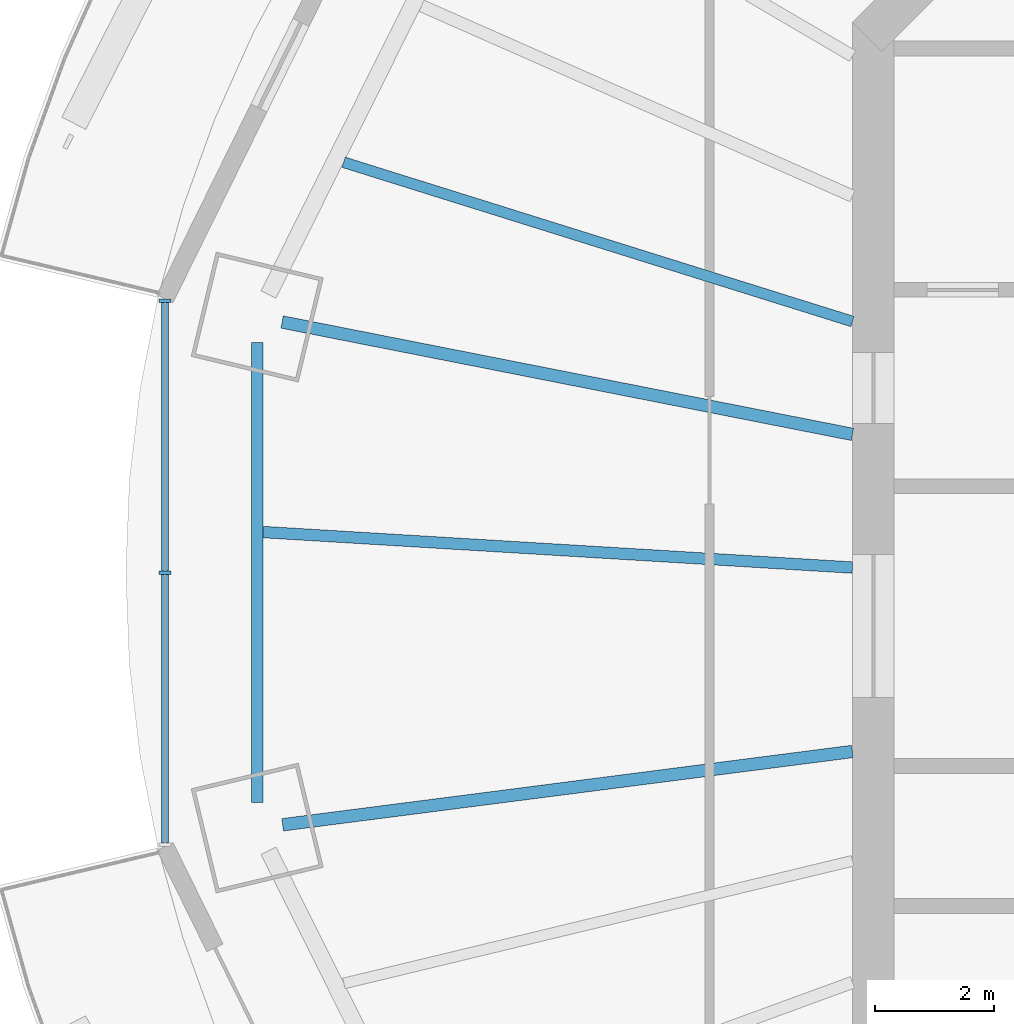
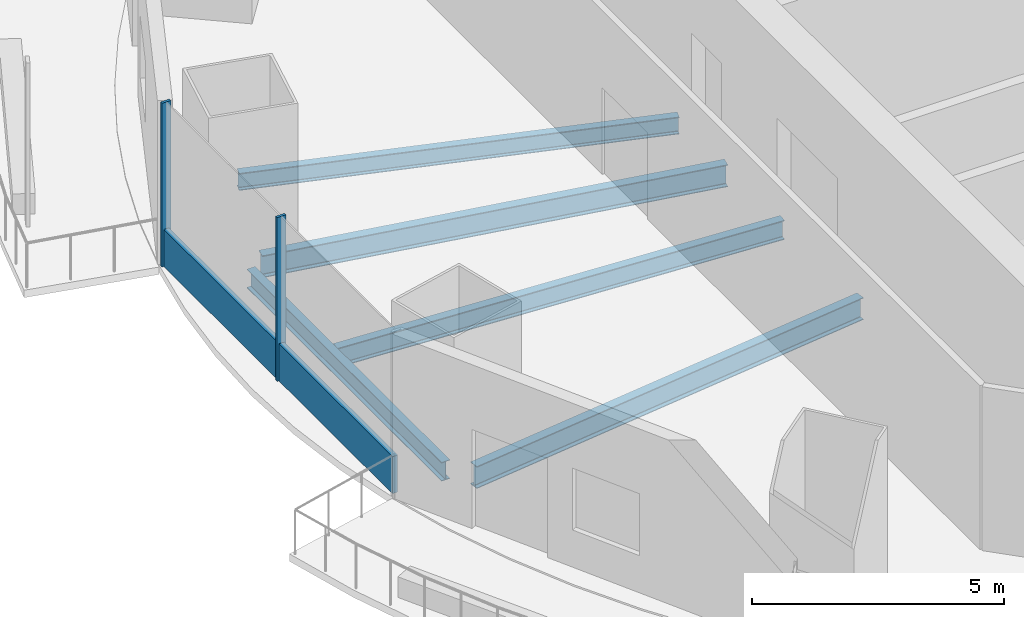
# One storey, part 3 of 16: 5 beams, 3 members, 1 element without a shape of its own.
"""IFC4 building model written with IfcOpenShell, lengths in metres."""

import ifcopenshell
import ifcopenshell.guid

model = None  # the IFC model being written
_history = None  # IfcOwnerHistory: only IFC2X3 demands one
_inside = {}  # id of a spatial element -> (the spatial element, [elements in it])
_under = {}  # id of a project, library or spatial element -> (it, [spatial elements below it])
_declared = {}  # id of a project -> (the project, [libraries it declares])
_typed = {}  # id of a type object -> (the type object, [elements of that type])
_made_of = {}  # id of a material, layer set ... -> (it, [elements and type objects made of it])


def new_model(schema):
    """Start an empty IFC model of exactly this schema.

    Asked for "IFC4X3", IfcOpenShell would pick the latest addendum, in which some entities
    have other attributes; the version numbers below select the first issue.
    IFC2X3 requires an IfcOwnerHistory on every rooted entity: one is made here for all.
    """
    global model, _history
    if schema == "IFC4X3":
        model = ifcopenshell.file(schema_version=(4, 3, 0, 0))
    else:
        model = ifcopenshell.file(schema=schema)
    _inside.clear()
    _under.clear()
    _declared.clear()
    _typed.clear()
    _made_of.clear()
    _history = None
    if model.schema == "IFC2X3":
        org = make("IfcOrganization", Name="unknown")
        user = make(
            "IfcPersonAndOrganization",
            ThePerson=make("IfcPerson", FamilyName="unknown"),
            TheOrganization=org,
        )
        app = make(
            "IfcApplication",
            ApplicationDeveloper=org,
            Version="unknown",
            ApplicationFullName="unknown",
            ApplicationIdentifier="unknown",
        )
        _history = make(
            "IfcOwnerHistory",
            OwningUser=user,
            OwningApplication=app,
            ChangeAction="ADDED",
            CreationDate=0,
        )
    return model


def make(cls, **values):
    """One entity of the class cls with the attributes given. An attribute that is None is left unset."""
    return model.create_entity(
        cls, **{name: value for name, value in values.items() if value is not None}
    )


def rooted(cls, **values):
    """An entity with a GlobalId (a new one), such as an element, a storey or a relation."""
    return make(cls, GlobalId=ifcopenshell.guid.new(), OwnerHistory=_history, **values)


def si_unit(unit_type, name, prefix=None):
    """IfcSIUnit, for example si_unit("LENGTHUNIT", "METRE", prefix="MILLI")."""
    return make("IfcSIUnit", UnitType=unit_type, Prefix=prefix, Name=name)


def assignment(units):
    """IfcUnitAssignment: the units of a project."""
    return None if units is None else make("IfcUnitAssignment", Units=units)


def point(xyz):
    """IfcCartesianPoint."""
    return None if xyz is None else make("IfcCartesianPoint", Coordinates=xyz)


def direction(xyz):
    """IfcDirection."""
    return None if xyz is None else make("IfcDirection", DirectionRatios=xyz)


def frame(location, z_axis=None, x_axis=None):
    """IfcAxis2Placement3D, a coordinate frame: its origin and axes. An axis left out is left unset."""
    return make(
        "IfcAxis2Placement3D",
        Location=point(location),
        Axis=direction(z_axis),
        RefDirection=direction(x_axis),
    )


def frame_2d(location, x_axis=None):
    """IfcAxis2Placement2D, a coordinate frame in the plane: its origin and x axis."""
    return make(
        "IfcAxis2Placement2D", Location=point(location), RefDirection=direction(x_axis)
    )


def origin():
    """The frame at (0, 0, 0) with its axes left unset."""
    return frame((0.0, 0.0, 0.0))


def origin_2d():
    """The frame at (0, 0) in the plane with its x axis left unset."""
    return frame_2d((0.0, 0.0))


def place(relative_to, where):
    """IfcLocalPlacement: puts the frame where relative to a parent placement (None: the world)."""
    return make(
        "IfcLocalPlacement", PlacementRelTo=relative_to, RelativePlacement=where
    )


def context(
    kind, dimensions, precision=None, world=None, true_north=None, identifier=None
):
    """IfcGeometricRepresentationContext, for example the 3D "Model" context."""
    return make(
        "IfcGeometricRepresentationContext",
        ContextIdentifier=identifier,
        ContextType=kind,
        CoordinateSpaceDimension=dimensions,
        Precision=precision,
        WorldCoordinateSystem=world,
        TrueNorth=true_north,
    )


def subcontext(parent, identifier, kind, view, scale=None):
    """IfcGeometricRepresentationSubContext, for example "Body" below "Model"."""
    return make(
        "IfcGeometricRepresentationSubContext",
        ContextIdentifier=identifier,
        ContextType=kind,
        ParentContext=parent,
        TargetScale=scale,
        TargetView=view,
    )


def project(units=None, contexts=None):
    """IfcProject with its units and contexts."""
    return rooted(
        "IfcProject",
        Name="project",
        RepresentationContexts=contexts,
        UnitsInContext=assignment(units),
    )


def spatial(cls, under=None, at=None, **own):
    """A site, building, storey or space (cls), placed at a placement, below another one or the project."""
    s = rooted(cls, ObjectPlacement=at, **own)
    if under is not None:
        _under.setdefault(under.id(), (under, []))[1].append(s)
    return s


def profile(cls, at=None, kind="AREA", **sizes):
    """A parametric profile (cls). Its sizes go by their IFC names, for example OverallWidth=200.0."""
    return make(cls, ProfileType=kind, Position=at, **sizes)


def rectangle(**sizes):
    """IfcRectangleProfileDef."""
    return profile("IfcRectangleProfileDef", **sizes)


def i_section(**sizes):
    """IfcIShapeProfileDef."""
    return profile("IfcIShapeProfileDef", **sizes)


def extrude(swept, where, along, depth):
    """IfcExtrudedAreaSolid: the profile swept, set in the frame where, extruded along a direction by depth."""
    return make(
        "IfcExtrudedAreaSolid",
        SweptArea=swept,
        Position=where,
        ExtrudedDirection=direction(along),
        Depth=depth,
    )


def shape(context_of_items, identifier, shape_type, items):
    """IfcShapeRepresentation: the items that make up one representation, for example the "Body"."""
    return make(
        "IfcShapeRepresentation",
        ContextOfItems=context_of_items,
        RepresentationIdentifier=identifier,
        RepresentationType=shape_type,
        Items=items,
    )


def material(Name=None, Category=None):
    """IfcMaterial."""
    return make("IfcMaterial", Name=Name, Category=Category)


def material_profile(
    of_material, cross_section, Name=None, Category=None, Priority=None
):
    """IfcMaterialProfile: a cross section and its material."""
    return make(
        "IfcMaterialProfile",
        Name=Name,
        Material=of_material,
        Profile=cross_section,
        Priority=Priority,
        Category=Category,
    )


def profile_set(profiles, Name=None, composite=None):
    """IfcMaterialProfileSet."""
    return make(
        "IfcMaterialProfileSet",
        Name=Name,
        MaterialProfiles=profiles,
        CompositeProfile=composite,
    )


def made_of(thing, what):
    """Note that an element or type object is made of a material, layer set ...; save() writes the relation."""
    if what is not None:
        _made_of.setdefault(what.id(), (what, []))[1].append(thing)
    return thing


def type_object(cls, material=None, **own):
    """A type object (cls), such as IfcWallType, which elements share."""
    return made_of(rooted(cls, **own), material)


def element(
    cls,
    number,
    at=None,
    inside=None,
    cuts=None,
    type_object=None,
    material=None,
    context=None,
    identifier="Body",
    shape_type=None,
    held_by="IfcProductDefinitionShape",
    body=None,
    shapes=None,
    **own,
):
    """One element of the class cls, such as IfcWall. Its Tag is "e" and its number.

    at: its placement. inside: the storey or other place that contains it. cuts: it is an
    opening in that element (IfcRelVoidsElement). A single representation is given by context,
    identifier, shape_type and body (its items); several are given by shapes. held_by: the class
    of the entity that holds the representations. save() writes the other relations.
    """
    e = rooted(cls, Tag="e%d" % number, ObjectPlacement=at, **own)
    if body is not None:
        shapes = [shape(context, identifier, shape_type, body)]
    if shapes is not None:
        e.Representation = make(held_by, Representations=shapes)
    if inside is not None:
        _inside.setdefault(inside.id(), (inside, []))[1].append(e)
    if cuts is not None:
        rooted(
            "IfcRelVoidsElement", RelatingBuildingElement=cuts, RelatedOpeningElement=e
        )
    if type_object is not None:
        _typed.setdefault(type_object.id(), (type_object, []))[1].append(e)
    return made_of(e, material)


def aggregate(whole, parts):
    """IfcRelAggregates: a whole, such as a stair, and the parts it consists of."""
    return rooted("IfcRelAggregates", RelatingObject=whole, RelatedObjects=parts)


def save(model, path):
    """Write the relations noted so far, then the file.

    IfcRelAggregates (storeys below a building ...), IfcRelContainedInSpatialStructure (elements
    in a storey), IfcRelDefinesByType, IfcRelAssociatesMaterial and IfcRelDeclares: one each for
    every whole, place, type object, material and project.
    """
    for whole, parts in _under.values():
        aggregate(whole, parts)
    for where, things in _inside.values():
        rooted(
            "IfcRelContainedInSpatialStructure",
            RelatedElements=things,
            RelatingStructure=where,
        )
    for kind, things in _typed.values():
        rooted("IfcRelDefinesByType", RelatedObjects=things, RelatingType=kind)
    for what, things in _made_of.values():
        rooted("IfcRelAssociatesMaterial", RelatedObjects=things, RelatingMaterial=what)
    for by, libraries in _declared.values():
        rooted("IfcRelDeclares", RelatingContext=by, RelatedDefinitions=libraries)
    model.write(path)


model = new_model("IFC4")

# Units and contexts
model_context = context("Model", 3, precision=1e-05, world=origin(), true_north=direction((0.0, 1.0)))
body_context = subcontext(model_context, "Body", "Model", "MODEL_VIEW")
ifc_project = project(units=[si_unit("LENGTHUNIT", "METRE"), si_unit("AREAUNIT", "SQUARE_METRE"), si_unit("VOLUMEUNIT", "CUBIC_METRE"), si_unit("PLANEANGLEUNIT", "RADIAN"), si_unit("MASSUNIT", "GRAM", prefix="KILO")], contexts=[model_context])

# Site, building, storey
site_placement = place(None, origin())
site = spatial("IfcSite", under=ifc_project, at=site_placement, CompositionType="ELEMENT")
building_placement = place(site_placement, origin())
building = spatial("IfcBuilding", under=site, at=building_placement, Name="Marenthal Gate Tower", CompositionType="ELEMENT")
storey_placement = place(building_placement, frame((0.0, 0.0, 309.39990234375)))
storey = spatial("IfcBuildingStorey", under=building, at=storey_placement, Name="L69", CompositionType="ELEMENT", Elevation=309.39990234375)

# Curtain wall, members
ifc_material_1 = material(Name="Aluminium and glass", Category="aluminium")
curtain_wall_type = type_object("IfcCurtainWallType", Name="Curtain wall typical high", PredefinedType="NOTDEFINED", material=ifc_material_1)
curtain_wall_placement = place(storey_placement, origin())
curtain_wall = element("IfcCurtainWall", 1, at=curtain_wall_placement, inside=storey, type_object=curtain_wall_type, Name="Curtain wall L69 bay 8", PredefinedType="NOTDEFINED")
ifc_material_2 = material(Name="Aluminium", Category="aluminium")
ifc_material_profile_1 = material_profile(ifc_material_2, rectangle(XDim=0.199951171875, YDim=0.06005859375, at=origin_2d()), Name="60x200 aluminium mullion")
ifc_profile_set_1 = profile_set([ifc_material_profile_1], Name="Aluminium")
member_type_1 = type_object("IfcMemberType", Name="Mullion 60x200 typical high", PredefinedType="MULLION", material=ifc_profile_set_1)
member_1_placement = place(storey_placement, frame((-27.895263671875, 5.46875, 0.0), z_axis=(0.0, 0.0, 1.0), x_axis=(1.0, 0.0, 0.0)))
member_1 = element("IfcMember", 2, at=member_1_placement, type_object=member_type_1, Name="Mullion L69 bay 8.1", PredefinedType="MULLION", context=body_context, shape_type="SweptSolid", body=[
    extrude(rectangle(XDim=0.199951171875, YDim=0.06005859375, at=origin_2d()), origin(), (0.0, 0.0, 1.0), 3.97021484375),
])
member_2_placement = place(storey_placement, frame((-27.895263671875, 0.89990234375, 0.0), z_axis=(0.0, 0.0, 1.0), x_axis=(1.0, 0.0, 0.0)))
member_2 = element("IfcMember", 3, at=member_2_placement, type_object=member_type_1, Name="Mullion L69 bay 8.2", PredefinedType="MULLION", context=body_context, shape_type="SweptSolid", body=[
    extrude(rectangle(XDim=0.199951171875, YDim=0.06005859375, at=origin_2d()), origin(), (0.0, 0.0, 1.0), 3.97021484375),
])
ifc_material_3 = material(Name="Aluminium", Category="aluminium")
ifc_material_profile_2 = material_profile(ifc_material_3, rectangle(XDim=0.1201171875, YDim=0.89990234375, at=origin_2d()), Name="120x900 aluminium transom")
ifc_profile_set_2 = profile_set([ifc_material_profile_2], Name="Aluminium")
member_type_2 = type_object("IfcMemberType", Name="Transom 120x900 typical high", PredefinedType="USERDEFINED", material=ifc_profile_set_2)
member_3_placement = place(storey_placement, frame((-27.895263671875, 5.438720703125, 0.4501953125), z_axis=(0.0, -1.0, 0.0), x_axis=(1.0, 0.0, 0.0)))
member_3 = element("IfcMember", 4, at=member_3_placement, type_object=member_type_2, Name="Transom L69 bay 8", ObjectType="TRANSOM", PredefinedType="USERDEFINED", context=body_context, shape_type="SweptSolid", body=[
    extrude(rectangle(XDim=0.1201171875, YDim=0.89990234375, at=origin_2d()), origin(), (0.0, 0.0, 1.0), 9.077392578125),
])
aggregate(curtain_wall, [member_1, member_2, member_3])

# Beams
ifc_material_4 = material(Name="Steel S355", Category="steel")
ifc_material_profile_3 = material_profile(ifc_material_4, i_section(OverallWidth=0.180908203125, OverallDepth=0.4169921875, WebThickness=0.010986328125, FlangeThickness=0.018310546875, FilletRadius=0.01025390625, at=origin_2d()), Name="W410X85")
ifc_profile_set_3 = profile_set([ifc_material_profile_3], Name="Steel S355")
beam_type_1 = type_object("IfcBeamType", Name="W410X85 beam", PredefinedType="BEAM", material=ifc_profile_set_3)
beam_1_placement = place(storey_placement, frame((-24.894287109375, 7.790771484375, -0.388427734375), z_axis=(0.95435227697, -0.298683329704, 0.0), x_axis=(0.298683329704, 0.95435227697, 0.0)))
element("IfcBeam", 5, at=beam_1_placement, inside=storey, type_object=beam_type_1, Name="BM-L69-27", PredefinedType="BEAM", context=body_context, shape_type="SweptSolid", body=[
    extrude(i_section(OverallWidth=0.180908203125, OverallDepth=0.4169921875, WebThickness=0.010986328125, FlangeThickness=0.018310546875, FilletRadius=0.01025390625, at=origin_2d()), origin(), (0.0, 0.0, 1.0), 8.952880859375),
])
ifc_material_5 = material(Name="Steel S355", Category="steel")
ifc_material_profile_4 = material_profile(ifc_material_5, i_section(OverallWidth=0.19091796875, OverallDepth=0.45703125, WebThickness=0.009033203125, FlangeThickness=0.014404296875, FilletRadius=0.01025390625, at=origin_2d()), Name="W460X74")
ifc_profile_set_4 = profile_set([ifc_material_profile_4], Name="Steel S355")
beam_type_2 = type_object("IfcBeamType", Name="W460X74 beam", PredefinedType="BEAM", material=ifc_profile_set_4)
beam_2_placement = place(storey_placement, frame((-26.345703125, 4.764892578125, -0.408447265625), z_axis=(0.0, -1.0, 0.0), x_axis=(1.0, 0.0, 0.0)))
element("IfcBeam", 6, at=beam_2_placement, inside=storey, type_object=beam_type_2, Name="BM-L69-48", PredefinedType="BEAM", context=body_context, shape_type="SweptSolid", body=[
    extrude(i_section(OverallWidth=0.19091796875, OverallDepth=0.45703125, WebThickness=0.009033203125, FlangeThickness=0.014404296875, FilletRadius=0.01025390625, at=origin_2d()), origin(), (0.0, 0.0, 1.0), 7.72998046875),
])
ifc_material_6 = material(Name="Steel S355", Category="steel")
ifc_material_profile_5 = material_profile(ifc_material_6, i_section(OverallWidth=0.193115234375, OverallDepth=0.467041015625, WebThickness=0.011474609375, FlangeThickness=0.01904296875, FilletRadius=0.010009765625, at=origin_2d()), Name="W460X97")
ifc_profile_set_5 = profile_set([ifc_material_profile_5], Name="Steel S355")
beam_type_3 = type_object("IfcBeamType", Name="W460X97 beam", PredefinedType="BEAM", material=ifc_profile_set_5)
beam_3_placement = place(storey_placement, frame((-26.250244140625, 1.580810546875, -0.413330078125), z_axis=(0.998191664878, -0.060111564342, 0.0), x_axis=(0.060111564342, 0.998191664878, 0.0)))
element("IfcBeam", 7, at=beam_3_placement, inside=storey, type_object=beam_type_3, Name="BM-L69-28", PredefinedType="BEAM", context=body_context, shape_type="SweptSolid", body=[
    extrude(i_section(OverallWidth=0.193115234375, OverallDepth=0.467041015625, WebThickness=0.011474609375, FlangeThickness=0.01904296875, FilletRadius=0.010009765625, at=origin_2d()), origin(), (0.0, 0.0, 1.0), 9.91796875),
])
ifc_material_7 = material(Name="Steel S355", Category="steel")
ifc_material_profile_6 = material_profile(ifc_material_7, i_section(OverallWidth=0.2099609375, OverallDepth=0.535888671875, WebThickness=0.010986328125, FlangeThickness=0.017333984375, FilletRadius=0.0126953125, at=origin_2d()), Name="W530X101")
ifc_profile_set_6 = profile_set([ifc_material_profile_6], Name="Steel S355")
beam_type_4 = type_object("IfcBeamType", Name="W530X101 beam", PredefinedType="BEAM", material=ifc_profile_set_6)
beam_4_placement = place(storey_placement, frame((-25.927978515625, 5.108154296875, -0.447998046875), z_axis=(0.981140296866, -0.193296968073, 0.0), x_axis=(0.193296968073, 0.981140296866, 0.0)))
element("IfcBeam", 8, at=beam_4_placement, inside=storey, type_object=beam_type_4, Name="BM-L69-08", PredefinedType="BEAM", context=body_context, shape_type="SweptSolid", body=[
    extrude(i_section(OverallWidth=0.2099609375, OverallDepth=0.535888671875, WebThickness=0.010986328125, FlangeThickness=0.017333984375, FilletRadius=0.0126953125, at=origin_2d()), origin(), (0.0, 0.0, 1.0), 9.761962890625),
])
beam_5_placement = place(storey_placement, frame((-25.9189453125, -3.33544921875, -0.447998046875), z_axis=(0.991820496546, 0.127640521115, 0.0), x_axis=(-0.127640521115, 0.991820496546, 0.0)))
element("IfcBeam", 9, at=beam_5_placement, inside=storey, type_object=beam_type_4, Name="BM-L69-09", PredefinedType="BEAM", context=body_context, shape_type="SweptSolid", body=[
    extrude(i_section(OverallWidth=0.2099609375, OverallDepth=0.535888671875, WebThickness=0.010986328125, FlangeThickness=0.017333984375, FilletRadius=0.0126953125, at=origin_2d()), origin(), (0.0, 0.0, 1.0), 9.647705078125),
])

save(model, "model.ifc")
